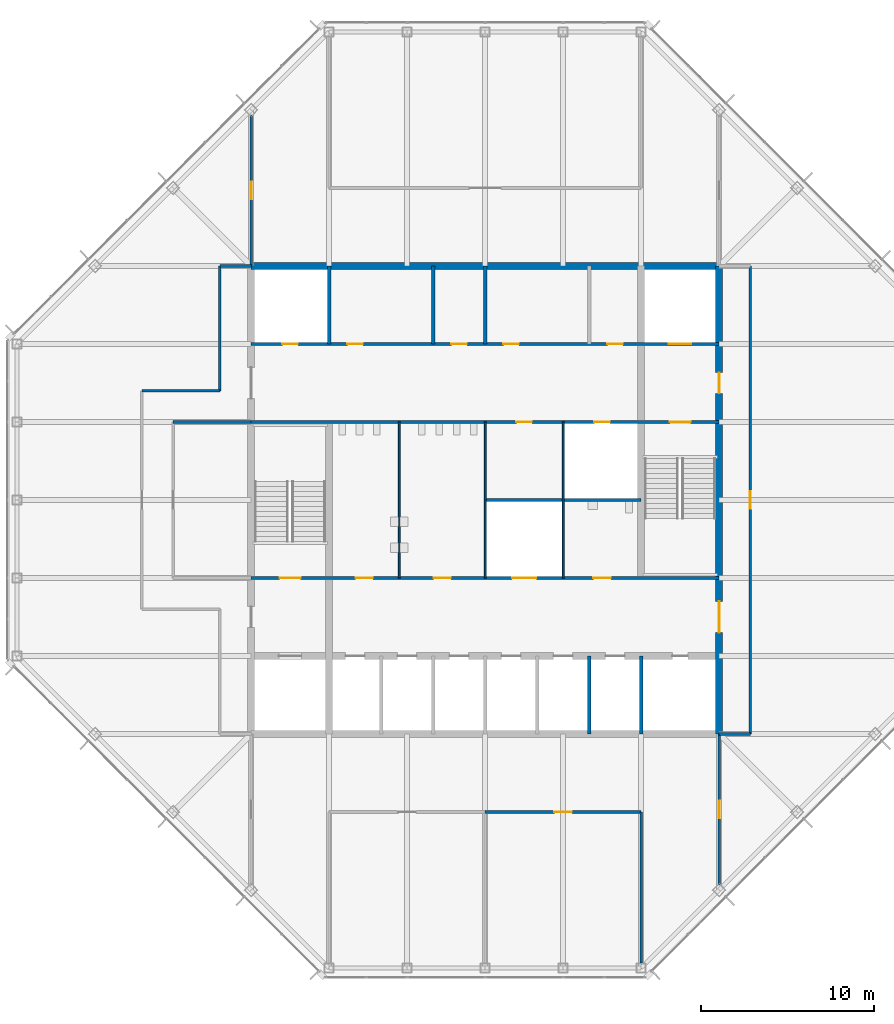
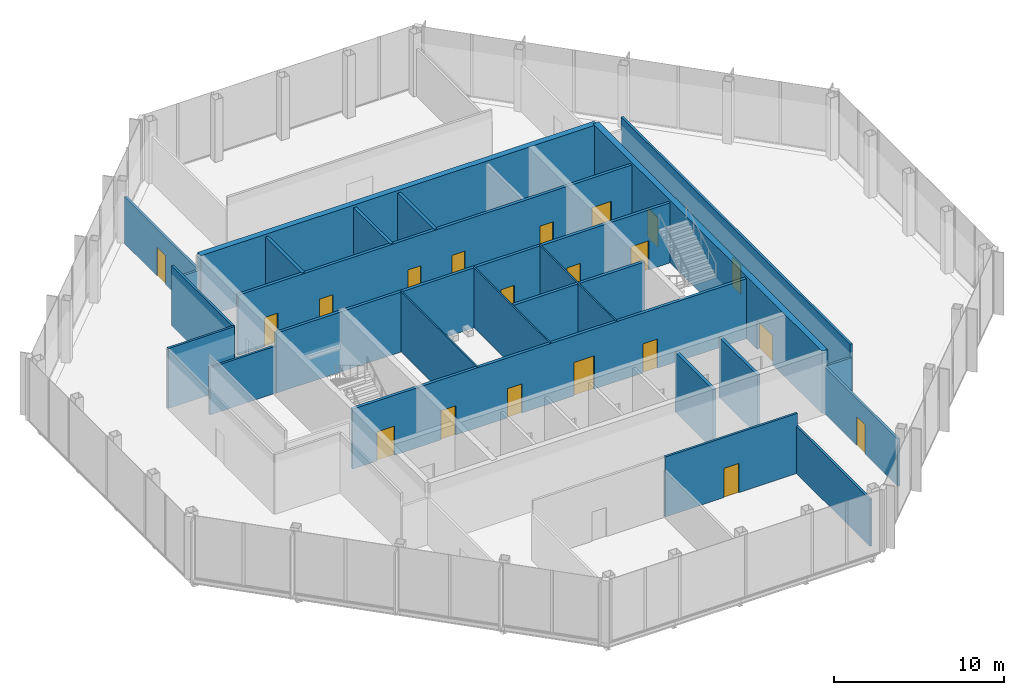
# One storey, part 10 of 13: 24 walls, 20 doors, 20 openings.
"""IFC4 building model written with IfcOpenShell, lengths in metres."""

from ifc_helpers import new_model, si_unit, direction, frame, frame_2d, origin, place, context, subcontext, project, spatial, rectangle, extrude, material, layer, layer_set, type_object, element, fill, save


model = new_model("IFC4")

# Units and contexts
model_context = context("Model", 3, precision=1e-05, world=origin(), true_north=direction((0.0, 1.0)))
body_context = subcontext(model_context, "Body", "Model", "MODEL_VIEW")
ifc_project = project(units=[si_unit("LENGTHUNIT", "METRE"), si_unit("AREAUNIT", "SQUARE_METRE"), si_unit("VOLUMEUNIT", "CUBIC_METRE"), si_unit("PLANEANGLEUNIT", "RADIAN"), si_unit("MASSUNIT", "GRAM", prefix="KILO")], contexts=[model_context])

# Site, building, storey
site_placement = place(None, origin())
site = spatial("IfcSite", under=ifc_project, at=site_placement, CompositionType="ELEMENT")
building_placement = place(site_placement, origin())
building = spatial("IfcBuilding", under=site, at=building_placement, Name="Corais Broadcast Tower", CompositionType="ELEMENT")
storey_placement = place(building_placement, frame((0.0, 0.0, 310.60009765625)))
storey = spatial("IfcBuildingStorey", under=building, at=storey_placement, Name="L73", CompositionType="ELEMENT", Elevation=310.60009765625)

# Walls
ifc_material_1 = material(Name="Concrete blockwork class A, grouted, two-hour", Category="masonry")
ifc_layer_1 = layer(ifc_material_1, 0.199951171875)
ifc_layer_set_1 = layer_set([ifc_layer_1], Name="Concrete blockwork class A, grouted, two-hour")
wall_type_1 = type_object("IfcWallType", Name="Core lobby wall 200", PredefinedType="SOLIDWALL", material=ifc_layer_set_1)
for number, where, z_axis, x_axis, name in (
    (1, (18.0, 36.0, 0.0), (0.0, 0.0, 1.0), (0.0, 1.0, 0.0), "CL3 core shaft wall X18B L73"),
    (2, (36.0, 13.5, 0.0), (0.0, 0.0, 1.0), (0.0, 1.0, 0.0), "CL3 core shaft wall X36A L73"),
):
    element("IfcWall", number, at=place(storey_placement, frame(where, z_axis=z_axis, x_axis=x_axis)), inside=storey, type_object=wall_type_1, Name=name, PredefinedType="SOLIDWALL", context=body_context, shape_type="SweptSolid", body=[
        extrude(rectangle(XDim=4.5, YDim=0.199951171875, at=frame_2d((2.25, 0.0))), origin(), (0.0, 0.0, 1.0), 4.31982421875),
    ])

# Wall, openings, doors
wall_1_placement = place(storey_placement, frame((13.5, 22.5, 0.0), z_axis=(0.0, 0.0, 1.0), x_axis=(1.0, 0.0, 0.0)))
wall_1 = element("IfcWall", 3, at=wall_1_placement, inside=storey, type_object=wall_type_1, Name="CL3 core lobby wall Y225 L73", PredefinedType="SOLIDWALL", context=body_context, shape_type="SweptSolid", body=[
    extrude(rectangle(XDim=27.0, YDim=0.199951171875, at=frame_2d((13.5, 0.0))), origin(), (0.0, 0.0, 1.0), 4.31982421875),
])
opening_1_placement = place(wall_1_placement, frame((1.64990234375, 0.0, 0.0)))
opening_1 = element("IfcOpeningElement", 4, at=opening_1_placement, cuts=wall_1, Name="Opening FD1", PredefinedType="OPENING", context=body_context, shape_type="SweptSolid", body=[
    extrude(rectangle(XDim=1.199951171875, YDim=2.10009765625, at=frame_2d((0.60009765625, 1.050048828125))), frame((0.0, 0.10986328125, 0.0), z_axis=(0.0, -1.0, 0.0), x_axis=(1.0, 0.0, 0.0)), (0.0, 0.0, 1.0), 0.219970703125),
])
opening_2_placement = place(wall_1_placement, frame((6.02490234375, 0.0, 0.0)))
opening_2 = element("IfcOpeningElement", 5, at=opening_2_placement, cuts=wall_1, Name="Opening WD1", PredefinedType="OPENING", context=body_context, shape_type="SweptSolid", body=[
    extrude(rectangle(XDim=1.0, YDim=2.10009765625, at=frame_2d((0.5, 1.050048828125))), frame((0.0, 0.10986328125, 0.0), z_axis=(0.0, -1.0, 0.0), x_axis=(1.0, 0.0, 0.0)), (0.0, 0.0, 1.0), 0.219970703125),
])
opening_3_placement = place(wall_1_placement, frame((10.52490234375, 0.0, 0.0)))
opening_3 = element("IfcOpeningElement", 6, at=opening_3_placement, cuts=wall_1, Name="Opening WD1", PredefinedType="OPENING", context=body_context, shape_type="SweptSolid", body=[
    extrude(rectangle(XDim=1.0, YDim=2.10009765625, at=frame_2d((0.5, 1.050048828125))), frame((0.0, 0.10986328125, 0.0), z_axis=(0.0, -1.0, 0.0), x_axis=(1.0, 0.0, 0.0)), (0.0, 0.0, 1.0), 0.219970703125),
])
opening_4_placement = place(wall_1_placement, frame((19.75, 0.0, 0.0)))
opening_4 = element("IfcOpeningElement", 7, at=opening_4_placement, cuts=wall_1, Name="Opening WD1", PredefinedType="OPENING", context=body_context, shape_type="SweptSolid", body=[
    extrude(rectangle(XDim=1.0, YDim=2.10009765625, at=frame_2d((0.5, 1.050048828125))), frame((0.0, 0.10986328125, 0.0), z_axis=(0.0, -1.0, 0.0), x_axis=(1.0, 0.0, 0.0)), (0.0, 0.0, 1.0), 0.219970703125),
])
opening_5_placement = place(wall_1_placement, frame((15.050048828125, 0.0, 0.0)))
opening_5 = element("IfcOpeningElement", 8, at=opening_5_placement, cuts=wall_1, Name="Opening LD3", PredefinedType="OPENING", context=body_context, shape_type="SweptSolid", body=[
    extrude(rectangle(XDim=1.39990234375, YDim=2.39990234375, at=frame_2d((0.699951171875, 1.199951171875))), frame((0.0, 0.10986328125, 0.0), z_axis=(0.0, -1.0, 0.0), x_axis=(1.0, 0.0, 0.0)), (0.0, 0.0, 1.0), 0.219970703125),
])
ifc_material_2 = material(Name="Steel fire door", Category="steel")
door_type_1 = type_object("IfcDoorType", Name="Fire door 1200x2100", OperationType="SINGLE_SWING_LEFT", PredefinedType="DOOR", material=ifc_material_2)
door_1_placement = place(opening_1_placement, origin())
door_1 = element("IfcDoor", 9, at=door_1_placement, inside=storey, type_object=door_type_1, Name="FD1 stair A door L73", OperationType="SINGLE_SWING_LEFT", OverallHeight=2.10009765625, OverallWidth=1.199951171875, PredefinedType="DOOR", context=body_context, shape_type="SweptSolid", body=[
    extrude(rectangle(XDim=1.199951171875, YDim=2.10009765625, at=frame_2d((0.60009765625, 1.050048828125))), frame((0.0, 0.02490234375, 0.0), z_axis=(0.0, -1.0, 0.0), x_axis=(1.0, 0.0, 0.0)), (0.0, 0.0, 1.0), 0.050048828125),
])
fill(opening_1, door_1)
ifc_material_3 = material(Name="Stainless steel lift door", Category="steel")
door_type_2 = type_object("IfcDoorType", Name="Service lift landing door 1400x2400", OperationType="SLIDING_TO_LEFT", PredefinedType="DOOR", material=ifc_material_3)
door_2_placement = place(opening_5_placement, origin())
door_2 = element("IfcDoor", 10, at=door_2_placement, inside=storey, type_object=door_type_2, Name="LD3 SL1 landing door L73", OperationType="SLIDING_TO_LEFT", OverallHeight=2.39990234375, OverallWidth=1.39990234375, PredefinedType="DOOR", context=body_context, shape_type="SweptSolid", body=[
    extrude(rectangle(XDim=1.39990234375, YDim=2.39990234375, at=frame_2d((0.699951171875, 1.199951171875))), frame((0.0, 0.02490234375, 0.0), z_axis=(0.0, -1.0, 0.0), x_axis=(1.0, 0.0, 0.0)), (0.0, 0.0, 1.0), 0.050048828125),
])
fill(opening_5, door_2)
ifc_material_4 = material(Name="Timber door", Category="wood")
door_type_3 = type_object("IfcDoorType", Name="Toilet door 1000x2100", OperationType="SINGLE_SWING_LEFT", PredefinedType="DOOR", material=ifc_material_4)
door_3_placement = place(opening_2_placement, origin())
door_3 = element("IfcDoor", 11, at=door_3_placement, inside=storey, type_object=door_type_3, Name="WD1 WC male door L73", OperationType="SINGLE_SWING_LEFT", OverallHeight=2.10009765625, OverallWidth=1.0, PredefinedType="DOOR", context=body_context, shape_type="SweptSolid", body=[
    extrude(rectangle(XDim=1.0, YDim=2.10009765625, at=frame_2d((0.5, 1.050048828125))), frame((0.0, 0.02490234375, 0.0), z_axis=(0.0, -1.0, 0.0), x_axis=(1.0, 0.0, 0.0)), (0.0, 0.0, 1.0), 0.050048828125),
])
fill(opening_2, door_3)
door_4_placement = place(opening_3_placement, origin())
door_4 = element("IfcDoor", 12, at=door_4_placement, inside=storey, type_object=door_type_3, Name="WD1 WC female door L73", OperationType="SINGLE_SWING_LEFT", OverallHeight=2.10009765625, OverallWidth=1.0, PredefinedType="DOOR", context=body_context, shape_type="SweptSolid", body=[
    extrude(rectangle(XDim=1.0, YDim=2.10009765625, at=frame_2d((0.5, 1.050048828125))), frame((0.0, 0.02490234375, 0.0), z_axis=(0.0, -1.0, 0.0), x_axis=(1.0, 0.0, 0.0)), (0.0, 0.0, 1.0), 0.050048828125),
])
fill(opening_3, door_4)
door_5_placement = place(opening_4_placement, origin())
door_5 = element("IfcDoor", 13, at=door_5_placement, inside=storey, type_object=door_type_3, Name="WD1 accessible WC door L73", OperationType="SINGLE_SWING_RIGHT", OverallHeight=2.10009765625, OverallWidth=1.0, PredefinedType="DOOR", context=body_context, shape_type="SweptSolid", body=[
    extrude(rectangle(XDim=1.0, YDim=2.10009765625, at=frame_2d((0.5, 1.050048828125))), frame((0.0, 0.02490234375, 0.0), z_axis=(0.0, -1.0, 0.0), x_axis=(1.0, 0.0, 0.0)), (0.0, 0.0, 1.0), 0.050048828125),
])
fill(opening_4, door_5)

wall_2_placement = place(storey_placement, frame((13.5, 31.5, 0.0), z_axis=(0.0, 0.0, 1.0), x_axis=(1.0, 0.0, 0.0)))
wall_2 = element("IfcWall", 14, at=wall_2_placement, inside=storey, type_object=wall_type_1, Name="CL3 core lobby wall Y315 L73", PredefinedType="SOLIDWALL", context=body_context, shape_type="SweptSolid", body=[
    extrude(rectangle(XDim=27.0, YDim=0.199951171875, at=frame_2d((13.5, 0.0))), origin(), (0.0, 0.0, 1.0), 4.31982421875),
])
opening_6_placement = place(wall_2_placement, frame((24.14990234375, 0.0, 0.0)))
opening_6 = element("IfcOpeningElement", 15, at=opening_6_placement, cuts=wall_2, Name="Opening FD1", PredefinedType="OPENING", context=body_context, shape_type="SweptSolid", body=[
    extrude(rectangle(XDim=1.199951171875, YDim=2.10009765625, at=frame_2d((0.60009765625, 1.050048828125))), frame((0.0, 0.10986328125, 0.0), z_axis=(0.0, -1.0, 0.0), x_axis=(1.0, 0.0, 0.0)), (0.0, 0.0, 1.0), 0.219970703125),
])
opening_7_placement = place(wall_2_placement, frame((15.300048828125, 0.0, 0.0)))
opening_7 = element("IfcOpeningElement", 16, at=opening_7_placement, cuts=wall_2, Name="Opening RD1", PredefinedType="OPENING", context=body_context, shape_type="SweptSolid", body=[
    extrude(rectangle(XDim=0.89990234375, YDim=2.10009765625, at=frame_2d((0.449951171875, 1.050048828125))), frame((0.0, 0.10986328125, 0.0), z_axis=(0.0, -1.0, 0.0), x_axis=(1.0, 0.0, 0.0)), (0.0, 0.0, 1.0), 0.219970703125),
])
opening_8_placement = place(wall_2_placement, frame((19.800048828125, 0.0, 0.0)))
opening_8 = element("IfcOpeningElement", 17, at=opening_8_placement, cuts=wall_2, Name="Opening RD1", PredefinedType="OPENING", context=body_context, shape_type="SweptSolid", body=[
    extrude(rectangle(XDim=0.89990234375, YDim=2.10009765625, at=frame_2d((0.449951171875, 1.050048828125))), frame((0.0, 0.10986328125, 0.0), z_axis=(0.0, -1.0, 0.0), x_axis=(1.0, 0.0, 0.0)), (0.0, 0.0, 1.0), 0.219970703125),
])
door_6_placement = place(opening_6_placement, origin())
door_6 = element("IfcDoor", 18, at=door_6_placement, inside=storey, type_object=door_type_1, Name="FD1 stair B door L73", OperationType="SINGLE_SWING_RIGHT", OverallHeight=2.10009765625, OverallWidth=1.199951171875, PredefinedType="DOOR", context=body_context, shape_type="SweptSolid", body=[
    extrude(rectangle(XDim=1.199951171875, YDim=2.10009765625, at=frame_2d((0.60009765625, 1.050048828125))), frame((0.0, 0.02490234375, 0.0), z_axis=(0.0, -1.0, 0.0), x_axis=(1.0, 0.0, 0.0)), (0.0, 0.0, 1.0), 0.050048828125),
])
fill(opening_6, door_6)
ifc_material_5 = material(Name="Steel fire door", Category="steel")
door_type_4 = type_object("IfcDoorType", Name="Riser door 900x2100", OperationType="SINGLE_SWING_LEFT", PredefinedType="DOOR", material=ifc_material_5)
door_7_placement = place(opening_7_placement, origin())
door_7 = element("IfcDoor", 19, at=door_7_placement, inside=storey, type_object=door_type_4, Name="RD1 stationery store door L73", OperationType="SINGLE_SWING_RIGHT", OverallHeight=2.10009765625, OverallWidth=0.89990234375, PredefinedType="DOOR", context=body_context, shape_type="SweptSolid", body=[
    extrude(rectangle(XDim=0.89990234375, YDim=2.10009765625, at=frame_2d((0.449951171875, 1.050048828125))), frame((0.0, 0.02490234375, 0.0), z_axis=(0.0, -1.0, 0.0), x_axis=(1.0, 0.0, 0.0)), (0.0, 0.0, 1.0), 0.050048828125),
])
fill(opening_7, door_7)
door_8_placement = place(opening_8_placement, origin())
door_8 = element("IfcDoor", 20, at=door_8_placement, inside=storey, type_object=door_type_4, Name="RD1 riser door L73", OperationType="SINGLE_SWING_RIGHT", OverallHeight=2.10009765625, OverallWidth=0.89990234375, PredefinedType="DOOR", context=body_context, shape_type="SweptSolid", body=[
    extrude(rectangle(XDim=0.89990234375, YDim=2.10009765625, at=frame_2d((0.449951171875, 1.050048828125))), frame((0.0, 0.02490234375, 0.0), z_axis=(0.0, -1.0, 0.0), x_axis=(1.0, 0.0, 0.0)), (0.0, 0.0, 1.0), 0.050048828125),
])
fill(opening_8, door_8)

ifc_material_6 = material(Name="Concrete C50/60", Category="concrete")
ifc_layer_2 = layer(ifc_material_6, 0.39990234375)
ifc_layer_set_2 = layer_set([ifc_layer_2], Name="Concrete C50/60")
wall_type_2 = type_object("IfcWallType", Name="Core wall 400", PredefinedType="SHEAR", material=ifc_layer_set_2)
wall_3_placement = place(storey_placement, frame((40.5, 13.5, 0.0), z_axis=(0.0, 0.0, 1.0), x_axis=(0.0, 1.0, 0.0)))
wall_3 = element("IfcWall", 21, at=wall_3_placement, inside=storey, type_object=wall_type_2, Name="CR400 core wall E L73", PredefinedType="SHEAR", context=body_context, shape_type="SweptSolid", body=[
    extrude(rectangle(XDim=27.0, YDim=0.39990234375, at=frame_2d((13.5, 0.0))), origin(), (0.0, 0.0, 1.0), 4.5),
])
opening_9_placement = place(wall_3_placement, frame((5.85009765625, 0.0, 0.0)))
opening_9 = element("IfcOpeningElement", 22, at=opening_9_placement, cuts=wall_3, Name="Opening FD2", PredefinedType="OPENING", context=body_context, shape_type="SweptSolid", body=[
    extrude(rectangle(XDim=1.800048828125, YDim=2.10009765625, at=frame_2d((0.89990234375, 1.050048828125))), frame((0.0, 0.2099609375, 0.0), z_axis=(0.0, -1.0, 0.0), x_axis=(1.0, 0.0, 0.0)), (0.0, 0.0, 1.0), 0.419921875),
])
opening_10_placement = place(wall_3_placement, frame((19.64990234375, 0.0, 0.0)))
opening_10 = element("IfcOpeningElement", 23, at=opening_10_placement, cuts=wall_3, Name="Opening FD1", PredefinedType="OPENING", context=body_context, shape_type="SweptSolid", body=[
    extrude(rectangle(XDim=1.199951171875, YDim=2.10009765625, at=frame_2d((0.60009765625, 1.050048828125))), frame((0.0, 0.2099609375, 0.0), z_axis=(0.0, -1.0, 0.0), x_axis=(1.0, 0.0, 0.0)), (0.0, 0.0, 1.0), 0.419921875),
])
door_9_placement = place(opening_10_placement, origin())
door_9 = element("IfcDoor", 24, at=door_9_placement, inside=storey, type_object=door_type_1, Name="FD1 fire lobby B door L73", OperationType="SINGLE_SWING_RIGHT", OverallHeight=2.10009765625, OverallWidth=1.199951171875, PredefinedType="DOOR", context=body_context, shape_type="SweptSolid", body=[
    extrude(rectangle(XDim=1.199951171875, YDim=2.10009765625, at=frame_2d((0.60009765625, 1.050048828125))), frame((0.0, 0.02490234375, 0.0), z_axis=(0.0, -1.0, 0.0), x_axis=(1.0, 0.0, 0.0)), (0.0, 0.0, 1.0), 0.050048828125),
])
fill(opening_10, door_9)
ifc_material_7 = material(Name="Steel fire door", Category="steel")
door_type_5 = type_object("IfcDoorType", Name="Fire door pair 1800x2100", OperationType="DOUBLE_DOOR_SINGLE_SWING", PredefinedType="DOOR", material=ifc_material_7)
door_10_placement = place(opening_9_placement, origin())
door_10 = element("IfcDoor", 25, at=door_10_placement, inside=storey, type_object=door_type_5, Name="FD2 lift lobby door L73", OperationType="SINGLE_SWING_LEFT", OverallHeight=2.10009765625, OverallWidth=1.800048828125, PredefinedType="DOOR", context=body_context, shape_type="SweptSolid", body=[
    extrude(rectangle(XDim=1.800048828125, YDim=2.10009765625, at=frame_2d((0.89990234375, 1.050048828125))), frame((0.0, 0.02490234375, 0.0), z_axis=(0.0, -1.0, 0.0), x_axis=(1.0, 0.0, 0.0)), (0.0, 0.0, 1.0), 0.050048828125),
])
fill(opening_9, door_10)

# Wall
wall_4_placement = place(storey_placement, frame((40.5, 40.5, 0.0), z_axis=(0.0, 0.0, 1.0), x_axis=(-1.0, 0.0, 0.0)))
element("IfcWall", 26, at=wall_4_placement, inside=storey, type_object=wall_type_2, Name="CR400 core wall N L73", PredefinedType="SHEAR", context=body_context, shape_type="SweptSolid", body=[
    extrude(rectangle(XDim=27.0, YDim=0.39990234375, at=frame_2d((13.5, 0.0))), origin(), (0.0, 0.0, 1.0), 4.5),
])

# Wall, openings, doors
ifc_material_8 = material(Name="Concrete blockwork class A, grouted, four-hour", Category="masonry")
ifc_layer_3 = layer(ifc_material_8, 0.199951171875)
ifc_layer_set_3 = layer_set([ifc_layer_3], Name="Concrete blockwork class A, grouted, four-hour")
wall_type_3 = type_object("IfcWallType", Name="Emergency lift shaft wall 200", PredefinedType="SOLIDWALL", material=ifc_layer_set_3)
wall_5_placement = place(storey_placement, frame((13.5, 36.0, 0.0), z_axis=(0.0, 0.0, 1.0), x_axis=(1.0, 0.0, 0.0)))
wall_5 = element("IfcWall", 27, at=wall_5_placement, inside=storey, type_object=wall_type_3, Name="LS3 core lobby wall Y36 L73", PredefinedType="SOLIDWALL", context=body_context, shape_type="SweptSolid", body=[
    extrude(rectangle(XDim=27.0, YDim=0.199951171875, at=frame_2d((13.5, 0.0))), origin(), (0.0, 0.0, 1.0), 4.31982421875),
])
opening_11_placement = place(wall_5_placement, frame((1.800048828125, 0.0, 0.0)))
opening_11 = element("IfcOpeningElement", 28, at=opening_11_placement, cuts=wall_5, Name="Opening RD1", PredefinedType="OPENING", context=body_context, shape_type="SweptSolid", body=[
    extrude(rectangle(XDim=0.89990234375, YDim=2.10009765625, at=frame_2d((0.449951171875, 1.050048828125))), frame((0.0, 0.10986328125, 0.0), z_axis=(0.0, -1.0, 0.0), x_axis=(1.0, 0.0, 0.0)), (0.0, 0.0, 1.0), 0.219970703125),
])
opening_12_placement = place(wall_5_placement, frame((5.550048828125, 0.0, 0.0)))
opening_12 = element("IfcOpeningElement", 29, at=opening_12_placement, cuts=wall_5, Name="Opening RD1", PredefinedType="OPENING", context=body_context, shape_type="SweptSolid", body=[
    extrude(rectangle(XDim=0.89990234375, YDim=2.10009765625, at=frame_2d((0.449951171875, 1.050048828125))), frame((0.0, 0.10986328125, 0.0), z_axis=(0.0, -1.0, 0.0), x_axis=(1.0, 0.0, 0.0)), (0.0, 0.0, 1.0), 0.219970703125),
])
opening_13_placement = place(wall_5_placement, frame((11.550048828125, 0.0, 0.0)))
opening_13 = element("IfcOpeningElement", 30, at=opening_13_placement, cuts=wall_5, Name="Opening RD1", PredefinedType="OPENING", context=body_context, shape_type="SweptSolid", body=[
    extrude(rectangle(XDim=0.89990234375, YDim=2.10009765625, at=frame_2d((0.449951171875, 1.050048828125))), frame((0.0, 0.10986328125, 0.0), z_axis=(0.0, -1.0, 0.0), x_axis=(1.0, 0.0, 0.0)), (0.0, 0.0, 1.0), 0.219970703125),
])
opening_14_placement = place(wall_5_placement, frame((14.550048828125, 0.0, 0.0)))
opening_14 = element("IfcOpeningElement", 31, at=opening_14_placement, cuts=wall_5, Name="Opening RD1", PredefinedType="OPENING", context=body_context, shape_type="SweptSolid", body=[
    extrude(rectangle(XDim=0.89990234375, YDim=2.10009765625, at=frame_2d((0.449951171875, 1.050048828125))), frame((0.0, 0.10986328125, 0.0), z_axis=(0.0, -1.0, 0.0), x_axis=(1.0, 0.0, 0.0)), (0.0, 0.0, 1.0), 0.219970703125),
])
opening_15_placement = place(wall_5_placement, frame((20.550048828125, 0.0, 0.0)))
opening_15 = element("IfcOpeningElement", 32, at=opening_15_placement, cuts=wall_5, Name="Opening RD1", PredefinedType="OPENING", context=body_context, shape_type="SweptSolid", body=[
    extrude(rectangle(XDim=0.89990234375, YDim=2.10009765625, at=frame_2d((0.449951171875, 1.050048828125))), frame((0.0, 0.10986328125, 0.0), z_axis=(0.0, -1.0, 0.0), x_axis=(1.0, 0.0, 0.0)), (0.0, 0.0, 1.0), 0.219970703125),
])
opening_16_placement = place(wall_5_placement, frame((24.10009765625, 0.0, 0.0)))
opening_16 = element("IfcOpeningElement", 33, at=opening_16_placement, cuts=wall_5, Name="Opening LD2", PredefinedType="OPENING", context=body_context, shape_type="SweptSolid", body=[
    extrude(rectangle(XDim=1.300048828125, YDim=2.199951171875, at=frame_2d((0.64990234375, 1.10009765625))), frame((0.0, 0.10986328125, 0.0), z_axis=(0.0, -1.0, 0.0), x_axis=(1.0, 0.0, 0.0)), (0.0, 0.0, 1.0), 0.219970703125),
])
ifc_material_9 = material(Name="Stainless steel lift door", Category="steel")
door_type_6 = type_object("IfcDoorType", Name="Lift landing door 1300x2200", OperationType="SLIDING_TO_LEFT", PredefinedType="DOOR", material=ifc_material_9)
door_11_placement = place(opening_16_placement, origin())
door_11 = element("IfcDoor", 34, at=door_11_placement, inside=storey, type_object=door_type_6, Name="LD2 FL2 landing door L73", OperationType="SLIDING_TO_LEFT", OverallHeight=2.199951171875, OverallWidth=1.300048828125, PredefinedType="DOOR", context=body_context, shape_type="SweptSolid", body=[
    extrude(rectangle(XDim=1.300048828125, YDim=2.199951171875, at=frame_2d((0.64990234375, 1.10009765625))), frame((0.0, 0.02490234375, 0.0), z_axis=(0.0, -1.0, 0.0), x_axis=(1.0, 0.0, 0.0)), (0.0, 0.0, 1.0), 0.050048828125),
])
fill(opening_16, door_11)
door_12_placement = place(opening_11_placement, origin())
door_12 = element("IfcDoor", 35, at=door_12_placement, inside=storey, type_object=door_type_4, Name="RD1 riser door L73", OperationType="SINGLE_SWING_LEFT", OverallHeight=2.10009765625, OverallWidth=0.89990234375, PredefinedType="DOOR", context=body_context, shape_type="SweptSolid", body=[
    extrude(rectangle(XDim=0.89990234375, YDim=2.10009765625, at=frame_2d((0.449951171875, 1.050048828125))), frame((0.0, 0.02490234375, 0.0), z_axis=(0.0, -1.0, 0.0), x_axis=(1.0, 0.0, 0.0)), (0.0, 0.0, 1.0), 0.050048828125),
])
fill(opening_11, door_12)
door_13_placement = place(opening_12_placement, origin())
door_13 = element("IfcDoor", 36, at=door_13_placement, inside=storey, type_object=door_type_4, Name="RD1 print room door L73", OperationType="SINGLE_SWING_LEFT", OverallHeight=2.10009765625, OverallWidth=0.89990234375, PredefinedType="DOOR", context=body_context, shape_type="SweptSolid", body=[
    extrude(rectangle(XDim=0.89990234375, YDim=2.10009765625, at=frame_2d((0.449951171875, 1.050048828125))), frame((0.0, 0.02490234375, 0.0), z_axis=(0.0, -1.0, 0.0), x_axis=(1.0, 0.0, 0.0)), (0.0, 0.0, 1.0), 0.050048828125),
])
fill(opening_12, door_13)
door_14_placement = place(opening_13_placement, origin())
door_14 = element("IfcDoor", 37, at=door_14_placement, inside=storey, type_object=door_type_4, Name="RD1 wellness room door L73", OperationType="SINGLE_SWING_LEFT", OverallHeight=2.10009765625, OverallWidth=0.89990234375, PredefinedType="DOOR", context=body_context, shape_type="SweptSolid", body=[
    extrude(rectangle(XDim=0.89990234375, YDim=2.10009765625, at=frame_2d((0.449951171875, 1.050048828125))), frame((0.0, 0.02490234375, 0.0), z_axis=(0.0, -1.0, 0.0), x_axis=(1.0, 0.0, 0.0)), (0.0, 0.0, 1.0), 0.050048828125),
])
fill(opening_13, door_14)
door_15_placement = place(opening_14_placement, origin())
door_15 = element("IfcDoor", 38, at=door_15_placement, inside=storey, type_object=door_type_4, Name="RD1 first aid room door L73", OperationType="SINGLE_SWING_RIGHT", OverallHeight=2.10009765625, OverallWidth=0.89990234375, PredefinedType="DOOR", context=body_context, shape_type="SweptSolid", body=[
    extrude(rectangle(XDim=0.89990234375, YDim=2.10009765625, at=frame_2d((0.449951171875, 1.050048828125))), frame((0.0, 0.02490234375, 0.0), z_axis=(0.0, -1.0, 0.0), x_axis=(1.0, 0.0, 0.0)), (0.0, 0.0, 1.0), 0.050048828125),
])
fill(opening_14, door_15)
door_16_placement = place(opening_15_placement, origin())
door_16 = element("IfcDoor", 39, at=door_16_placement, inside=storey, type_object=door_type_4, Name="RD1 vending room door L73", OperationType="SINGLE_SWING_RIGHT", OverallHeight=2.10009765625, OverallWidth=0.89990234375, PredefinedType="DOOR", context=body_context, shape_type="SweptSolid", body=[
    extrude(rectangle(XDim=0.89990234375, YDim=2.10009765625, at=frame_2d((0.449951171875, 1.050048828125))), frame((0.0, 0.02490234375, 0.0), z_axis=(0.0, -1.0, 0.0), x_axis=(1.0, 0.0, 0.0)), (0.0, 0.0, 1.0), 0.050048828125),
])
fill(opening_15, door_16)

# Wall, opening, door
ifc_material_10 = material(Name="Gypsum board on steel studs", Category="steel")
ifc_layer_4 = layer(ifc_material_10, 0.14990234375)
ifc_layer_set_4 = layer_set([ifc_layer_4], Name="Gypsum board on steel studs")
wall_type_4 = type_object("IfcWallType", Name="Partition 150", PredefinedType="PARTITIONING", material=ifc_layer_set_4)
wall_6_placement = place(storey_placement, frame((42.300048828125, 13.5, 0.0), z_axis=(0.0, 0.0, 1.0), x_axis=(0.0, 1.0, 0.0)))
wall_6 = element("IfcWall", 40, at=wall_6_placement, inside=storey, type_object=wall_type_4, Name="IW3 corridor wall L73", PredefinedType="PARTITIONING", context=body_context, shape_type="SweptSolid", body=[
    extrude(rectangle(XDim=27.0, YDim=0.14990234375, at=frame_2d((13.5, 0.0))), origin(), (0.0, 0.0, 1.0), 4.31982421875),
])
opening_17_placement = place(wall_6_placement, frame((13.0, 0.0, 0.0)))
opening_17 = element("IfcOpeningElement", 41, at=opening_17_placement, cuts=wall_6, Name="Opening D1", PredefinedType="OPENING", context=body_context, shape_type="SweptSolid", body=[
    extrude(rectangle(XDim=1.0, YDim=2.10009765625, at=frame_2d((0.5, 1.050048828125))), frame((0.0, 0.0849609375, 0.0), z_axis=(0.0, -1.0, 0.0), x_axis=(1.0, 0.0, 0.0)), (0.0, 0.0, 1.0), 0.169921875),
])
ifc_material_11 = material(Name="Timber door", Category="wood")
door_type_7 = type_object("IfcDoorType", Name="Single door 1000x2100", OperationType="SINGLE_SWING_LEFT", PredefinedType="DOOR", material=ifc_material_11)
door_17_placement = place(opening_17_placement, origin())
door_17 = element("IfcDoor", 42, at=door_17_placement, inside=storey, type_object=door_type_7, Name="D1 workplace door L73", OperationType="SINGLE_SWING_LEFT", OverallHeight=2.10009765625, OverallWidth=1.0, PredefinedType="DOOR", context=body_context, shape_type="SweptSolid", body=[
    extrude(rectangle(XDim=1.0, YDim=2.10009765625, at=frame_2d((0.5, 1.050048828125))), frame((0.0, 0.02490234375, 0.0), z_axis=(0.0, -1.0, 0.0), x_axis=(1.0, 0.0, 0.0)), (0.0, 0.0, 1.0), 0.050048828125),
])
fill(opening_17, door_17)

# Walls
wall_7_placement = place(storey_placement, frame((11.699951171875, 40.5, 0.0), z_axis=(0.0, 0.0, 1.0), x_axis=(0.0, -1.0, 0.0)))
element("IfcWall", 43, at=wall_7_placement, inside=storey, type_object=wall_type_4, Name="IW3 corridor wall L73", PredefinedType="PARTITIONING", context=body_context, shape_type="SweptSolid", body=[
    extrude(rectangle(XDim=7.199951171875, YDim=0.14990234375, at=frame_2d((3.60009765625, 0.0))), origin(), (0.0, 0.0, 1.0), 4.31982421875),
])
wall_8_placement = place(storey_placement, frame((11.699951171875, 33.300048828125, 0.0), z_axis=(0.0, 0.0, 1.0), x_axis=(-1.0, 0.0, 0.0)))
element("IfcWall", 44, at=wall_8_placement, inside=storey, type_object=wall_type_4, Name="IW3 corridor wall L73", PredefinedType="PARTITIONING", context=body_context, shape_type="SweptSolid", body=[
    extrude(rectangle(XDim=4.5, YDim=0.14990234375, at=frame_2d((2.25, 0.0))), origin(), (0.0, 0.0, 1.0), 4.31982421875),
])
for number, where, z_axis, x_axis, name in (
    (45, (13.510009765625, 40.5, 0.0), (0.0, 0.0, 1.0), (-1.0, 0.0, 0.0), "IW3 corridor wall L73"),
    (46, (40.489990234375, 13.5, 0.0), (0.0, 0.0, 1.0), (1.0, 0.0, 0.0), "IW3 corridor wall L73"),
):
    element("IfcWall", number, at=place(storey_placement, frame(where, z_axis=z_axis, x_axis=x_axis)), inside=storey, type_object=wall_type_4, Name=name, PredefinedType="PARTITIONING", context=body_context, shape_type="SweptSolid", body=[
        extrude(rectangle(XDim=1.81005859375, YDim=0.14990234375, at=frame_2d((0.905029296875, 0.0))), origin(), (0.0, 0.0, 1.0), 3.392822265625),
    ])
wall_9_placement = place(storey_placement, frame((36.0, 0.284912109375, 0.0), z_axis=(0.0, 0.0, 1.0), x_axis=(0.0, 1.0, 0.0)))
element("IfcWall", 47, at=wall_9_placement, inside=storey, type_object=wall_type_4, Name="IW3 partition L73", PredefinedType="PARTITIONING", context=body_context, shape_type="SweptSolid", body=[
    extrude(rectangle(XDim=8.715087890625, YDim=0.14990234375, at=frame_2d((4.357421875, 0.0))), origin(), (0.0, 0.0, 1.0), 3.392822265625),
])

# Wall, opening, door
wall_10_placement = place(storey_placement, frame((36.0, 9.0, 0.0), z_axis=(0.0, 0.0, 1.0), x_axis=(-1.0, 0.0, 0.0)))
wall_10 = element("IfcWall", 48, at=wall_10_placement, inside=storey, type_object=wall_type_4, Name="IW3 partition L73", PredefinedType="PARTITIONING", context=body_context, shape_type="SweptSolid", body=[
    extrude(rectangle(XDim=9.0, YDim=0.14990234375, at=frame_2d((4.5, 0.0))), origin(), (0.0, 0.0, 1.0), 4.31982421875),
])
opening_18_placement = place(wall_10_placement, frame((4.0, 0.0, 0.0)))
opening_18 = element("IfcOpeningElement", 49, at=opening_18_placement, cuts=wall_10, Name="Opening D1", PredefinedType="OPENING", context=body_context, shape_type="SweptSolid", body=[
    extrude(rectangle(XDim=1.0, YDim=2.10009765625, at=frame_2d((0.5, 1.050048828125))), frame((0.0, 0.0849609375, 0.0), z_axis=(0.0, -1.0, 0.0), x_axis=(1.0, 0.0, 0.0)), (0.0, 0.0, 1.0), 0.169921875),
])
door_18_placement = place(opening_18_placement, origin())
door_18 = element("IfcDoor", 50, at=door_18_placement, inside=storey, type_object=door_type_7, Name="D1 Executive office door", OperationType="SINGLE_SWING_LEFT", OverallHeight=2.10009765625, OverallWidth=1.0, PredefinedType="DOOR", context=body_context, shape_type="SweptSolid", body=[
    extrude(rectangle(XDim=1.0, YDim=2.10009765625, at=frame_2d((0.5, 1.050048828125))), frame((0.0, 0.02490234375, 0.0), z_axis=(0.0, -1.0, 0.0), x_axis=(1.0, 0.0, 0.0)), (0.0, 0.0, 1.0), 0.050048828125),
])
fill(opening_18, door_18)

# Wall
wall_11_placement = place(storey_placement, frame((13.5, 31.5, 0.0), z_axis=(0.0, 0.0, 1.0), x_axis=(-1.0, 0.0, 0.0)))
element("IfcWall", 51, at=wall_11_placement, inside=storey, type_object=wall_type_4, Name="IW3 partition L73", PredefinedType="PARTITIONING", context=body_context, shape_type="SweptSolid", body=[
    extrude(rectangle(XDim=4.5, YDim=0.14990234375, at=frame_2d((2.25, 0.0))), origin(), (0.0, 0.0, 1.0), 3.392822265625),
])

# Wall, opening, door
wall_12_placement = place(storey_placement, frame((13.5, 40.5, 0.0), z_axis=(0.0, 0.0, 1.0), x_axis=(0.0, 1.0, 0.0)))
wall_12 = element("IfcWall", 52, at=wall_12_placement, inside=storey, type_object=wall_type_4, Name="IW3 partition L73", PredefinedType="PARTITIONING", context=body_context, shape_type="SweptSolid", body=[
    extrude(rectangle(XDim=8.705078125, YDim=0.14990234375, at=frame_2d((4.3525390625, 0.0))), origin(), (0.0, 0.0, 1.0), 3.392822265625),
])
opening_19_placement = place(wall_12_placement, frame((3.8525390625, 0.0, 0.0)))
opening_19 = element("IfcOpeningElement", 53, at=opening_19_placement, cuts=wall_12, Name="Opening D1", PredefinedType="OPENING", context=body_context, shape_type="SweptSolid", body=[
    extrude(rectangle(XDim=1.0, YDim=2.10009765625, at=frame_2d((0.5, 1.050048828125))), frame((0.0, 0.0849609375, 0.0), z_axis=(0.0, -1.0, 0.0), x_axis=(1.0, 0.0, 0.0)), (0.0, 0.0, 1.0), 0.169921875),
])
door_19_placement = place(opening_19_placement, origin())
door_19 = element("IfcDoor", 54, at=door_19_placement, inside=storey, type_object=door_type_7, Name="D1 team room door L73", OperationType="SINGLE_SWING_LEFT", OverallHeight=2.10009765625, OverallWidth=1.0, PredefinedType="DOOR", context=body_context, shape_type="SweptSolid", body=[
    extrude(rectangle(XDim=1.0, YDim=2.10009765625, at=frame_2d((0.5, 1.050048828125))), frame((0.0, 0.02490234375, 0.0), z_axis=(0.0, -1.0, 0.0), x_axis=(1.0, 0.0, 0.0)), (0.0, 0.0, 1.0), 0.050048828125),
])
fill(opening_19, door_19)

wall_13_placement = place(storey_placement, frame((40.5, 4.794921875, 0.0), z_axis=(0.0, 0.0, 1.0), x_axis=(0.0, 1.0, 0.0)))
wall_13 = element("IfcWall", 55, at=wall_13_placement, inside=storey, type_object=wall_type_4, Name="IW3 partition L73", PredefinedType="PARTITIONING", context=body_context, shape_type="SweptSolid", body=[
    extrude(rectangle(XDim=8.705078125, YDim=0.14990234375, at=frame_2d((4.3525390625, 0.0))), origin(), (0.0, 0.0, 1.0), 3.392822265625),
])
opening_20_placement = place(wall_13_placement, frame((3.8525390625, 0.0, 0.0)))
opening_20 = element("IfcOpeningElement", 56, at=opening_20_placement, cuts=wall_13, Name="Opening D1", PredefinedType="OPENING", context=body_context, shape_type="SweptSolid", body=[
    extrude(rectangle(XDim=1.0, YDim=2.10009765625, at=frame_2d((0.5, 1.050048828125))), frame((0.0, 0.0849609375, 0.0), z_axis=(0.0, -1.0, 0.0), x_axis=(1.0, 0.0, 0.0)), (0.0, 0.0, 1.0), 0.169921875),
])
door_20_placement = place(opening_20_placement, origin())
door_20 = element("IfcDoor", 57, at=door_20_placement, inside=storey, type_object=door_type_7, Name="D1 team room door L73", OperationType="SINGLE_SWING_LEFT", OverallHeight=2.10009765625, OverallWidth=1.0, PredefinedType="DOOR", context=body_context, shape_type="SweptSolid", body=[
    extrude(rectangle(XDim=1.0, YDim=2.10009765625, at=frame_2d((0.5, 1.050048828125))), frame((0.0, 0.02490234375, 0.0), z_axis=(0.0, -1.0, 0.0), x_axis=(1.0, 0.0, 0.0)), (0.0, 0.0, 1.0), 0.050048828125),
])
fill(opening_20, door_20)

# Walls
ifc_material_12 = material(Name="Concrete blockwork class A, grouted, two-hour", Category="masonry")
ifc_layer_5 = layer(ifc_material_12, 0.199951171875)
ifc_layer_set_5 = layer_set([ifc_layer_5], Name="Concrete blockwork class A, grouted, two-hour")
wall_type_5 = type_object("IfcWallType", Name="Shaft wall 200", PredefinedType="PARTITIONING", material=ifc_layer_set_5)
for number, where, z_axis, x_axis, name in (
    (58, (24.0, 36.0, 0.0), (0.0, 0.0, 1.0), (0.0, 1.0, 0.0), "IW1 shaft wall L73"),
    (59, (27.0, 36.0, 0.0), (0.0, 0.0, 1.0), (0.0, 1.0, 0.0), "IW1 shaft wall L73"),
    (60, (33.0, 13.5, 0.0), (0.0, 0.0, 1.0), (0.0, 1.0, 0.0), "IW1 shaft wall L73"),
):
    element("IfcWall", number, at=place(storey_placement, frame(where, z_axis=z_axis, x_axis=x_axis)), inside=storey, type_object=wall_type_5, Name=name, PredefinedType="PARTITIONING", context=body_context, shape_type="SweptSolid", body=[
        extrude(rectangle(XDim=4.5, YDim=0.199951171875, at=frame_2d((2.25, 0.0))), origin(), (0.0, 0.0, 1.0), 4.31982421875),
    ])
wall_14_placement = place(storey_placement, frame((27.0, 27.0, 0.0), z_axis=(0.0, 0.0, 1.0), x_axis=(1.0, 0.0, 0.0)))
element("IfcWall", 61, at=wall_14_placement, inside=storey, type_object=wall_type_5, Name="IW1 shaft wall L73", PredefinedType="PARTITIONING", context=body_context, shape_type="SweptSolid", body=[
    extrude(rectangle(XDim=9.0, YDim=0.199951171875, at=frame_2d((4.5, 0.0))), origin(), (0.0, 0.0, 1.0), 4.31982421875),
])
ifc_material_13 = material(Name="Dense concrete blockwork class A, tiled both faces", Category="masonry")
ifc_layer_6 = layer(ifc_material_13, 0.10009765625)
ifc_layer_set_6 = layer_set([ifc_layer_6], Name="Dense concrete blockwork class A, tiled both faces")
wall_type_6 = type_object("IfcWallType", Name="Toilet wall 100", PredefinedType="PLUMBINGWALL", material=ifc_layer_set_6)
for number, where, z_axis, x_axis, name in (
    (62, (22.050048828125, 22.5, 0.0), (0.0, 0.0, 1.0), (0.0, 1.0, 0.0), "IW2 toilet wall L73"),
    (63, (27.0, 22.5, 0.0), (0.0, 0.0, 1.0), (0.0, 1.0, 0.0), "IW2 toilet wall L73"),
    (64, (31.5, 22.5, 0.0), (0.0, 0.0, 1.0), (0.0, 1.0, 0.0), "IW2 toilet wall L73"),
):
    element("IfcWall", number, at=place(storey_placement, frame(where, z_axis=z_axis, x_axis=x_axis)), inside=storey, type_object=wall_type_6, Name=name, PredefinedType="PLUMBINGWALL", context=body_context, shape_type="SweptSolid", body=[
        extrude(rectangle(XDim=9.0, YDim=0.10009765625, at=frame_2d((4.5, 0.0))), origin(), (0.0, 0.0, 1.0), 4.31982421875),
    ])

save(model, "model.ifc")
